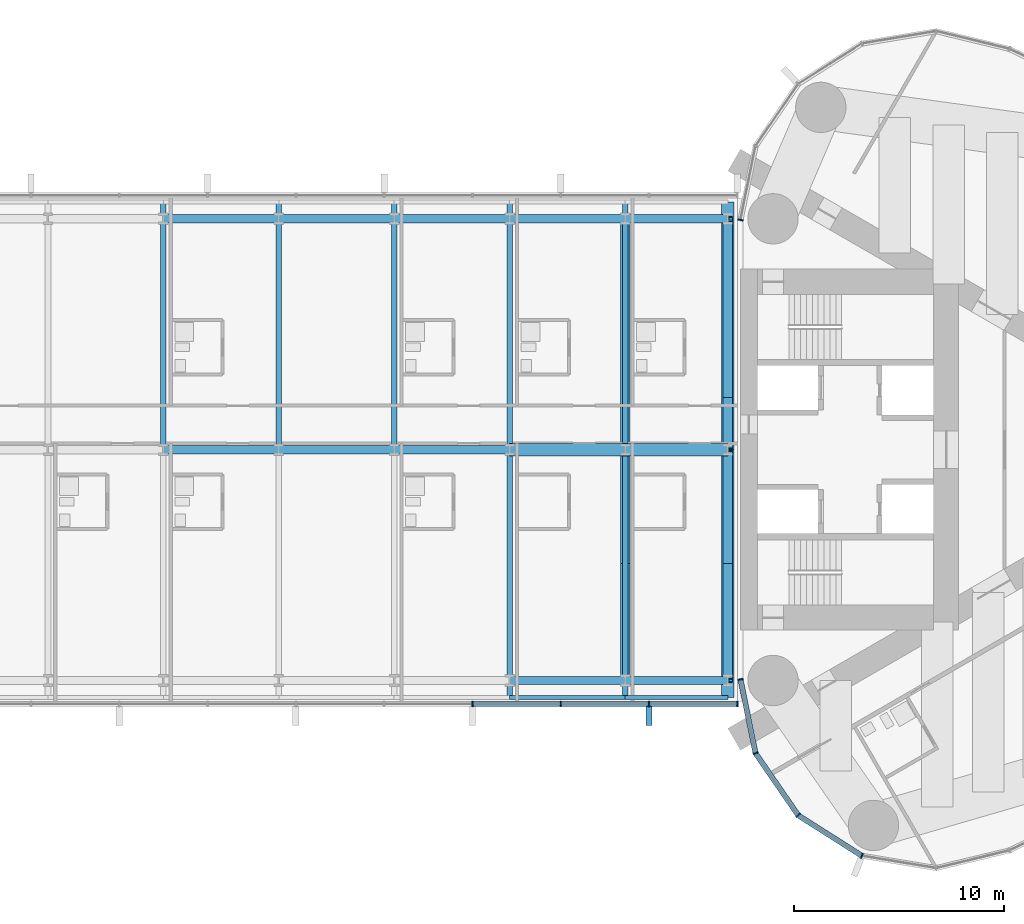
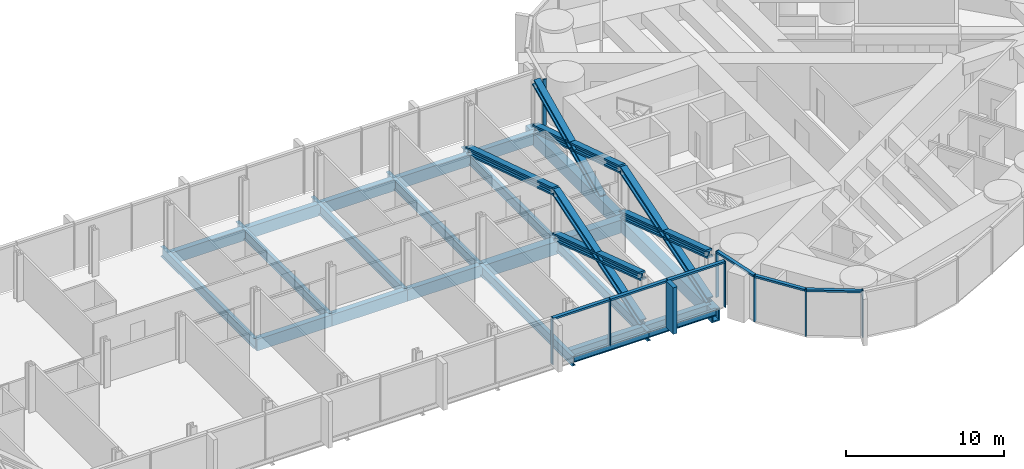
# One storey, part 8 of 24: 23 beams, 23 members, 2 elements without a shape of their own.
"""IFC4 building model written with IfcOpenShell, lengths in metres."""

from ifc_helpers import new_model, si_unit, direction, frame, origin, origin_2d, place, context, subcontext, project, spatial, rectangle, hollow_rectangle, i_section, extrude, material, material_profile, profile_set, type_object, element, aggregate, save


model = new_model("IFC4")

# Units and contexts
model_context = context("Model", 3, precision=1e-05, world=origin(), true_north=direction((0.0, 1.0)))
body_context = subcontext(model_context, "Body", "Model", "MODEL_VIEW")
ifc_project = project(units=[si_unit("LENGTHUNIT", "METRE"), si_unit("AREAUNIT", "SQUARE_METRE"), si_unit("VOLUMEUNIT", "CUBIC_METRE"), si_unit("PLANEANGLEUNIT", "RADIAN"), si_unit("MASSUNIT", "GRAM", prefix="KILO")], contexts=[model_context])

# Site, building, storey
site_placement = place(None, origin())
site = spatial("IfcSite", under=ifc_project, at=site_placement, CompositionType="ELEMENT")
building_placement = place(site_placement, origin())
building = spatial("IfcBuilding", under=site, at=building_placement, Name="Lancet Gate Hotel", CompositionType="ELEMENT")
storey_placement = place(building_placement, frame((0.0, 0.0, 236.89990234375)))
storey = spatial("IfcBuildingStorey", under=building, at=storey_placement, Name="L63", CompositionType="ELEMENT", Elevation=236.89990234375)

# Curtain wall, members
ifc_material_1 = material(Name="Aluminium curtain wall", Category="aluminium")
curtain_wall_type_1 = type_object("IfcCurtainWallType", Name="Tower unitised curtain wall", PredefinedType="USERDEFINED", material=ifc_material_1)
curtain_wall_1_placement = place(storey_placement, origin())
curtain_wall_1 = element("IfcCurtainWall", 1, at=curtain_wall_1_placement, inside=storey, type_object=curtain_wall_type_1, Name="T2 L63 curtain wall 1", ObjectType="UNITISED CURTAIN WALL", PredefinedType="USERDEFINED")
ifc_material_2 = material(Name="Aluminium mullion", Category="aluminium")
ifc_material_profile_1 = material_profile(ifc_material_2, rectangle(XDim=0.06494140625, YDim=0.25, at=origin_2d()), Name="MULLION 65x250")
ifc_profile_set_1 = profile_set([ifc_material_profile_1], Name="Aluminium mullion")
member_type_1 = type_object("IfcMemberType", Name="Aluminium mullion 65x250", PredefinedType="MULLION", material=ifc_profile_set_1)
member_1_placement = place(storey_placement, frame((27.5, -10.947998046875, 0.0), z_axis=(0.0, 0.0, 1.0), x_axis=(0.199533486841, -0.979891008036, 0.0)))
member_1 = element("IfcMember", 2, at=member_1_placement, type_object=member_type_1, Name="T2 L63 curtain wall 1 mullion 1", PredefinedType="MULLION", context=body_context, shape_type="SweptSolid", body=[
    extrude(rectangle(XDim=0.06494140625, YDim=0.25, at=origin_2d()), origin(), (0.0, 0.0, 1.0), 3.60009765625),
])
member_2_placement = place(storey_placement, frame((28.216552734375, -14.467529296875, 0.0), z_axis=(0.0, 0.0, 1.0), x_axis=(0.391042139098, -0.920372775265, 0.0)))
member_2 = element("IfcMember", 3, at=member_2_placement, type_object=member_type_1, Name="T2 L63 curtain wall 1 mullion 2", PredefinedType="MULLION", context=body_context, shape_type="SweptSolid", body=[
    extrude(rectangle(XDim=0.06494140625, YDim=0.25, at=origin_2d()), origin(), (0.0, 0.0, 1.0), 3.60009765625),
])
member_3_placement = place(storey_placement, frame((30.25244140625, -17.42626953125, 0.0), z_axis=(0.0, 0.0, 1.0), x_axis=(0.719809077627, -0.694172090886, 0.0)))
member_3 = element("IfcMember", 4, at=member_3_placement, type_object=member_type_1, Name="T2 L63 curtain wall 1 mullion 3", PredefinedType="MULLION", context=body_context, shape_type="SweptSolid", body=[
    extrude(rectangle(XDim=0.06494140625, YDim=0.25, at=origin_2d()), origin(), (0.0, 0.0, 1.0), 3.60009765625),
])
member_4_placement = place(storey_placement, frame((33.283203125, -19.353515625, 0.0), z_axis=(0.0, 0.0, 1.0), x_axis=(0.93394321776, -0.357421412343, 0.0)))
member_4 = element("IfcMember", 5, at=member_4_placement, type_object=member_type_1, Name="T2 L63 curtain wall 1 mullion 4", PredefinedType="MULLION", context=body_context, shape_type="SweptSolid", body=[
    extrude(rectangle(XDim=0.06494140625, YDim=0.25, at=origin_2d()), origin(), (0.0, 0.0, 1.0), 3.60009765625),
])
member_5_placement = place(storey_placement, frame((27.5, 10.947998046875, 0.0), z_axis=(0.0, 0.0, 1.0), x_axis=(-0.199533486841, -0.979891008036, 0.0)))
member_5 = element("IfcMember", 6, at=member_5_placement, type_object=member_type_1, Name="T2 L63 curtain wall 1 mullion 27", PredefinedType="MULLION", context=body_context, shape_type="SweptSolid", body=[
    extrude(rectangle(XDim=0.06494140625, YDim=0.25, at=origin_2d()), origin(), (0.0, 0.0, 1.0), 3.60009765625),
])

ifc_material_3 = material(Name="Aluminium curtain wall", Category="aluminium")
curtain_wall_type_2 = type_object("IfcCurtainWallType", Name="Bridge block curtain wall", PredefinedType="USERDEFINED", material=ifc_material_3)
curtain_wall_2_placement = place(storey_placement, origin())
curtain_wall_2 = element("IfcCurtainWall", 7, at=curtain_wall_2_placement, inside=storey, type_object=curtain_wall_type_2, Name="Bridge block L63 curtain wall S", ObjectType="UNITISED CURTAIN WALL", PredefinedType="USERDEFINED")
member_6_placement = place(storey_placement, frame((14.726806640625, -12.1201171875, 0.0), z_axis=(0.0, 0.0, 1.0), x_axis=(1.0, 0.0, 0.0)))
member_6 = element("IfcMember", 8, at=member_6_placement, type_object=member_type_1, Name="Bridge block L63 curtain wall S mullion 11", PredefinedType="MULLION", context=body_context, shape_type="SweptSolid", body=[
    extrude(rectangle(XDim=0.06494140625, YDim=0.25, at=origin_2d()), origin(), (0.0, 0.0, 1.0), 3.60009765625),
])
member_7_placement = place(storey_placement, frame((18.9345703125, -12.1201171875, 0.0), z_axis=(0.0, 0.0, 1.0), x_axis=(1.0, 0.0, 0.0)))
member_7 = element("IfcMember", 9, at=member_7_placement, type_object=member_type_1, Name="Bridge block L63 curtain wall S mullion 12", PredefinedType="MULLION", context=body_context, shape_type="SweptSolid", body=[
    extrude(rectangle(XDim=0.06494140625, YDim=0.25, at=origin_2d()), origin(), (0.0, 0.0, 1.0), 3.60009765625),
])
member_8_placement = place(storey_placement, frame((23.142333984375, -12.1201171875, 0.0), z_axis=(0.0, 0.0, 1.0), x_axis=(1.0, 0.0, 0.0)))
member_8 = element("IfcMember", 10, at=member_8_placement, type_object=member_type_1, Name="Bridge block L63 curtain wall S mullion 13", PredefinedType="MULLION", context=body_context, shape_type="SweptSolid", body=[
    extrude(rectangle(XDim=0.06494140625, YDim=0.25, at=origin_2d()), origin(), (0.0, 0.0, 1.0), 3.60009765625),
])
member_9_placement = place(storey_placement, frame((27.35009765625, -12.1201171875, 0.0), z_axis=(0.0, 0.0, 1.0), x_axis=(1.0, 0.0, 0.0)))
member_9 = element("IfcMember", 11, at=member_9_placement, type_object=member_type_1, Name="Bridge block L63 curtain wall S mullion 14", PredefinedType="MULLION", context=body_context, shape_type="SweptSolid", body=[
    extrude(rectangle(XDim=0.06494140625, YDim=0.25, at=origin_2d()), origin(), (0.0, 0.0, 1.0), 3.60009765625),
])

# Member
ifc_material_4 = material(Name="Aluminium transom", Category="aluminium")
ifc_material_profile_2 = material_profile(ifc_material_4, rectangle(XDim=0.25, YDim=0.14990234375, at=origin_2d()), Name="TRANSOM 250x150")
ifc_profile_set_2 = profile_set([ifc_material_profile_2], Name="Aluminium transom")
member_type_2 = type_object("IfcMemberType", Name="Aluminium transom 250x150", PredefinedType="USERDEFINED", material=ifc_profile_set_2)
member_10_placement = place(storey_placement, frame((27.506591796875, -10.97998046875, 3.525146484375), z_axis=(0.19952323725, -0.979893095086, 0.0), x_axis=(0.979893095086, 0.19952323725, 0.0)))
member_10 = element("IfcMember", 12, at=member_10_placement, type_object=member_type_2, Name="T2 L63 curtain wall 1 transom 1", ObjectType="TRANSOM", PredefinedType="USERDEFINED", context=body_context, shape_type="SweptSolid", body=[
    extrude(rectangle(XDim=0.25, YDim=0.14990234375, at=origin_2d()), origin(), (0.0, 0.0, 1.0), 3.5263671875),
])

member_11_placement = place(storey_placement, frame((28.235107421875, -14.494140625, 3.525146484375), z_axis=(0.566813768052, -0.82384595183, 0.0), x_axis=(0.82384595183, 0.566813768052, 0.0)))
member_11 = element("IfcMember", 13, at=member_11_placement, type_object=member_type_2, Name="T2 L63 curtain wall 1 transom 2", ObjectType="TRANSOM", PredefinedType="USERDEFINED", context=body_context, shape_type="SweptSolid", body=[
    extrude(rectangle(XDim=0.25, YDim=0.14990234375, at=origin_2d()), origin(), (0.0, 0.0, 1.0), 3.52685546875),
])

member_12_placement = place(storey_placement, frame((30.27978515625, -17.44384765625, 3.525146484375), z_axis=(0.84385811281, -0.536566384938, 0.0), x_axis=(0.536566384938, 0.84385811281, 0.0)))
member_12 = element("IfcMember", 14, at=member_12_placement, type_object=member_type_2, Name="T2 L63 curtain wall 1 transom 3", ObjectType="TRANSOM", PredefinedType="USERDEFINED", context=body_context, shape_type="SweptSolid", body=[
    extrude(rectangle(XDim=0.25, YDim=0.14990234375, at=origin_2d()), origin(), (0.0, 0.0, 1.0), 3.52685546875),
])

aggregate(curtain_wall_1, [member_1, member_2, member_3, member_4, member_5, member_10, member_11, member_12])

member_13_placement = place(storey_placement, frame((14.759521484375, -12.1201171875, 3.525146484375), z_axis=(1.0, 0.0, 0.0), x_axis=(0.0, 1.0, 0.0)))
member_13 = element("IfcMember", 15, at=member_13_placement, type_object=member_type_2, Name="Bridge block L63 curtain wall S transom 11", ObjectType="TRANSOM", PredefinedType="USERDEFINED", context=body_context, shape_type="SweptSolid", body=[
    extrude(rectangle(XDim=0.25, YDim=0.14990234375, at=origin_2d()), origin(), (0.0, 0.0, 1.0), 4.142578125),
])

member_14_placement = place(storey_placement, frame((18.967041015625, -12.1201171875, 3.525146484375), z_axis=(1.0, 0.0, 0.0), x_axis=(0.0, 1.0, 0.0)))
member_14 = element("IfcMember", 16, at=member_14_placement, type_object=member_type_2, Name="Bridge block L63 curtain wall S transom 12", ObjectType="TRANSOM", PredefinedType="USERDEFINED", context=body_context, shape_type="SweptSolid", body=[
    extrude(rectangle(XDim=0.25, YDim=0.14990234375, at=origin_2d()), origin(), (0.0, 0.0, 1.0), 4.142822265625),
])

member_15_placement = place(storey_placement, frame((23.1748046875, -12.1201171875, 3.525146484375), z_axis=(1.0, 0.0, 0.0), x_axis=(0.0, 1.0, 0.0)))
member_15 = element("IfcMember", 17, at=member_15_placement, type_object=member_type_2, Name="Bridge block L63 curtain wall S transom 13", ObjectType="TRANSOM", PredefinedType="USERDEFINED", context=body_context, shape_type="SweptSolid", body=[
    extrude(rectangle(XDim=0.25, YDim=0.14990234375, at=origin_2d()), origin(), (0.0, 0.0, 1.0), 4.142578125),
])

# Members
ifc_material_5 = material(Name="Steel S460", Category="steel")
ifc_material_profile_3 = material_profile(ifc_material_5, i_section(OverallWidth=0.4541015625, OverallDepth=0.569091796875, WebThickness=0.077880859375, FlangeThickness=0.125, FilletRadius=0.02001953125, at=origin_2d()), Name="HD 400x1086")
ifc_profile_set_3 = profile_set([ifc_material_profile_3], Name="Steel S460")
member_type_3 = type_object("IfcMemberType", Name="Block brace HD 400x1086", PredefinedType="BRACE", material=ifc_profile_set_3)
member_16_placement = place(storey_placement, frame((26.89990234375, -11.0, 0.0), z_axis=(0.0, 0.952925780013, 0.303203657277), x_axis=(-1.0, 0.0, 0.0)))
element("IfcMember", 18, at=member_16_placement, inside=storey, type_object=member_type_3, Name="Block brace EY11 L63", PredefinedType="BRACE", context=body_context, shape_type="SweptSolid", body=[
    extrude(i_section(OverallWidth=0.4541015625, OverallDepth=0.569091796875, WebThickness=0.077880859375, FlangeThickness=0.125, FilletRadius=0.02001953125, at=origin_2d()), origin(), (0.0, 0.0, 1.0), 11.54345703125),
])
member_17_placement = place(storey_placement, frame((26.89990234375, 0.0, 0.0), z_axis=(0.0, -0.950394634814, 0.311046681573), x_axis=(1.0, 0.0, 0.0)))
element("IfcMember", 19, at=member_17_placement, inside=storey, type_object=member_type_3, Name="Block brace EY12 L63", PredefinedType="BRACE", context=body_context, shape_type="SweptSolid", body=[
    extrude(i_section(OverallWidth=0.4541015625, OverallDepth=0.569091796875, WebThickness=0.077880859375, FlangeThickness=0.125, FilletRadius=0.02001953125, at=origin_2d()), origin(), (0.0, 0.0, 1.0), 11.57421875),
])
for number, where, z_axis, x_axis, name in (
    (20, (26.89990234375, 11.0, 0.0), (0.0, -0.952925780013, 0.303203657277), (1.0, 0.0, 0.0), "Block brace EY22 L63"),
    (21, (22.0, -11.0, 0.0), (0.0, 0.952925780013, 0.303203657277), (-1.0, 0.0, 0.0), "Block brace EI11 L63"),
):
    element("IfcMember", number, at=place(storey_placement, frame(where, z_axis=z_axis, x_axis=x_axis)), inside=storey, type_object=member_type_3, Name=name, PredefinedType="BRACE", context=body_context, shape_type="SweptSolid", body=[
        extrude(i_section(OverallWidth=0.4541015625, OverallDepth=0.569091796875, WebThickness=0.077880859375, FlangeThickness=0.125, FilletRadius=0.02001953125, at=origin_2d()), origin(), (0.0, 0.0, 1.0), 11.54345703125),
    ])
member_18_placement = place(storey_placement, frame((22.0, 0.0, 0.0), z_axis=(0.0, -0.950394634814, 0.311046681573), x_axis=(1.0, 0.0, 0.0)))
element("IfcMember", 22, at=member_18_placement, inside=storey, type_object=member_type_3, Name="Block brace EI12 L63", PredefinedType="BRACE", context=body_context, shape_type="SweptSolid", body=[
    extrude(i_section(OverallWidth=0.4541015625, OverallDepth=0.569091796875, WebThickness=0.077880859375, FlangeThickness=0.125, FilletRadius=0.02001953125, at=origin_2d()), origin(), (0.0, 0.0, 1.0), 11.57421875),
])
member_19_placement = place(storey_placement, frame((22.0, 11.0, 0.0), z_axis=(0.0, -0.952925780013, 0.303203657277), x_axis=(1.0, 0.0, 0.0)))
element("IfcMember", 23, at=member_19_placement, inside=storey, type_object=member_type_3, Name="Block brace EI22 L63", PredefinedType="BRACE", context=body_context, shape_type="SweptSolid", body=[
    extrude(i_section(OverallWidth=0.4541015625, OverallDepth=0.569091796875, WebThickness=0.077880859375, FlangeThickness=0.125, FilletRadius=0.02001953125, at=origin_2d()), origin(), (0.0, 0.0, 1.0), 11.54345703125),
])
member_20_placement = place(storey_placement, frame((26.89990234375, 2.60009765625, -0.2998046875), z_axis=(0.0, 0.907011125382, 0.421106659212), x_axis=(-1.0, 0.0, 0.0)))
element("IfcMember", 24, at=member_20_placement, inside=storey, type_object=member_type_3, Name="Block brace EY23 L63", PredefinedType="BRACE", context=body_context, shape_type="SweptSolid", body=[
    extrude(i_section(OverallWidth=0.4541015625, OverallDepth=0.569091796875, WebThickness=0.077880859375, FlangeThickness=0.125, FilletRadius=0.02001953125, at=origin_2d()), origin(), (0.0, 0.0, 1.0), 9.260986328125),
])

# Beams
ifc_material_6 = material(Name="Steel S355", Category="steel")
ifc_material_profile_4 = material_profile(ifc_material_6, i_section(OverallWidth=0.19140625, OverallDepth=0.4599609375, WebThickness=0.010009765625, FlangeThickness=0.01611328125, FilletRadius=0.01025390625, at=origin_2d()), Name="UKB 457x191x82")
ifc_profile_set_4 = profile_set([ifc_material_profile_4], Name="Steel S355")
beam_type_1 = type_object("IfcBeamType", Name="Block edge beam UKB 457x191x82", PredefinedType="SPANDREL", material=ifc_profile_set_4)
beam_1_placement = place(storey_placement, frame((16.5, -11.800048828125, -0.429931640625), z_axis=(1.0, 0.0, 0.0), x_axis=(0.0, 1.0, 0.0)))
element("IfcBeam", 25, at=beam_1_placement, inside=storey, type_object=beam_type_1, Name="Block edge beam S 8-9 L63", PredefinedType="SPANDREL", context=body_context, shape_type="SweptSolid", body=[
    extrude(i_section(OverallWidth=0.19140625, OverallDepth=0.4599609375, WebThickness=0.010009765625, FlangeThickness=0.01611328125, FilletRadius=0.01025390625, at=origin_2d()), origin(), (0.0, 0.0, 1.0), 5.5),
])
beam_2_placement = place(storey_placement, frame((22.0, -11.800048828125, -0.429931640625), z_axis=(1.0, 0.0, 0.0), x_axis=(0.0, 1.0, 0.0)))
element("IfcBeam", 26, at=beam_2_placement, inside=storey, type_object=beam_type_1, Name="Block edge beam S 9-10 L63", PredefinedType="SPANDREL", context=body_context, shape_type="SweptSolid", body=[
    extrude(i_section(OverallWidth=0.19140625, OverallDepth=0.4599609375, WebThickness=0.010009765625, FlangeThickness=0.01611328125, FilletRadius=0.01025390625, at=origin_2d()), origin(), (0.0, 0.0, 1.0), 4.89990234375),
])
ifc_material_7 = material(Name="Steel S460QL", Category="steel")
ifc_material_profile_5 = material_profile(ifc_material_7, hollow_rectangle(XDim=0.60009765625, YDim=1.0, WallThickness=0.10009765625, at=origin_2d()), Name="BOX 1000x600x100")
ifc_profile_set_5 = profile_set([ifc_material_profile_5], Name="Steel S460QL")
beam_type_2 = type_object("IfcBeamType", Name="Block end beam BOX 1000x600x100", PredefinedType="BEAM", material=ifc_profile_set_5)
for number, where, z_axis, x_axis, name in (
    (27, (26.89990234375, -11.800048828125, -0.699951171875), (0.0, 1.0, 0.0), (-1.0, 0.0, 0.0), "Block beam x10 S L63"),
    (28, (26.89990234375, 0.0, -0.699951171875), (0.0, 1.0, 0.0), (-1.0, 0.0, 0.0), "Block beam x10 N L63"),
):
    element("IfcBeam", number, at=place(storey_placement, frame(where, z_axis=z_axis, x_axis=x_axis)), inside=storey, type_object=beam_type_2, Name=name, PredefinedType="BEAM", context=body_context, shape_type="SweptSolid", body=[
        extrude(hollow_rectangle(XDim=0.60009765625, YDim=1.0, WallThickness=0.10009765625, at=origin_2d()), origin(), (0.0, 0.0, 1.0), 11.800048828125),
    ])
ifc_material_8 = material(Name="Steel S460QL", Category="steel")
ifc_material_profile_6 = material_profile(ifc_material_8, hollow_rectangle(XDim=0.60009765625, YDim=1.0, WallThickness=0.080078125, at=origin_2d()), Name="BOX 1000x600x80")
ifc_profile_set_6 = profile_set([ifc_material_profile_6], Name="Steel S460QL")
beam_type_3 = type_object("IfcBeamType", Name="Block primary beam BOX 1000x600x80", PredefinedType="BEAM", material=ifc_profile_set_6)
beam_3_placement = place(storey_placement, frame((16.5, 0.0, -0.699951171875), z_axis=(1.0, 0.0, 0.0), x_axis=(0.0, 1.0, 0.0)))
element("IfcBeam", 29, at=beam_3_placement, inside=storey, type_object=beam_type_3, Name="Block primary beam M 9 L63", PredefinedType="BEAM", context=body_context, shape_type="SweptSolid", body=[
    extrude(hollow_rectangle(XDim=0.60009765625, YDim=1.0, WallThickness=0.080078125, at=origin_2d()), origin(), (0.0, 0.0, 1.0), 5.5),
])
beam_4_placement = place(storey_placement, frame((22.0, 0.0, -0.699951171875), z_axis=(1.0, 0.0, 0.0), x_axis=(0.0, 1.0, 0.0)))
element("IfcBeam", 30, at=beam_4_placement, inside=storey, type_object=beam_type_3, Name="Block primary beam M 10 L63", PredefinedType="BEAM", context=body_context, shape_type="SweptSolid", body=[
    extrude(hollow_rectangle(XDim=0.60009765625, YDim=1.0, WallThickness=0.080078125, at=origin_2d()), origin(), (0.0, 0.0, 1.0), 4.89990234375),
])
ifc_material_9 = material(Name="Steel S355", Category="steel")
ifc_material_profile_7 = material_profile(ifc_material_9, hollow_rectangle(XDim=0.39990234375, YDim=0.89990234375, WallThickness=0.0400390625, at=origin_2d()), Name="BOX 900x400x40")
ifc_profile_set_7 = profile_set([ifc_material_profile_7], Name="Steel S355")
beam_type_4 = type_object("IfcBeamType", Name="Block primary beam BOX 900x400x40", PredefinedType="BEAM", material=ifc_profile_set_7)
beam_5_placement = place(storey_placement, frame((16.5, -11.0, -0.64990234375), z_axis=(1.0, 0.0, 0.0), x_axis=(0.0, 1.0, 0.0)))
element("IfcBeam", 31, at=beam_5_placement, inside=storey, type_object=beam_type_4, Name="Block primary beam S 9 L63", PredefinedType="BEAM", context=body_context, shape_type="SweptSolid", body=[
    extrude(hollow_rectangle(XDim=0.39990234375, YDim=0.89990234375, WallThickness=0.0400390625, at=origin_2d()), origin(), (0.0, 0.0, 1.0), 5.5),
])
beam_6_placement = place(storey_placement, frame((22.0, -11.0, -0.64990234375), z_axis=(1.0, 0.0, 0.0), x_axis=(0.0, 1.0, 0.0)))
element("IfcBeam", 32, at=beam_6_placement, inside=storey, type_object=beam_type_4, Name="Block primary beam S 10 L63", PredefinedType="BEAM", context=body_context, shape_type="SweptSolid", body=[
    extrude(hollow_rectangle(XDim=0.39990234375, YDim=0.89990234375, WallThickness=0.0400390625, at=origin_2d()), origin(), (0.0, 0.0, 1.0), 4.89990234375),
])
for number, where, z_axis, x_axis, name in (
    (33, (0.0, 0.0, -0.64990234375), (1.0, 0.0, 0.0), (0.0, 1.0, 0.0), "Block primary beam M 6 L63"),
    (34, (5.5, 0.0, -0.64990234375), (1.0, 0.0, 0.0), (0.0, 1.0, 0.0), "Block primary beam M 7 L63"),
    (35, (11.0, 0.0, -0.64990234375), (1.0, 0.0, 0.0), (0.0, 1.0, 0.0), "Block primary beam M 8 L63"),
    (36, (0.0, 11.0, -0.64990234375), (1.0, 0.0, 0.0), (0.0, 1.0, 0.0), "Block primary beam N 6 L63"),
    (37, (5.5, 11.0, -0.64990234375), (1.0, 0.0, 0.0), (0.0, 1.0, 0.0), "Block primary beam N 7 L63"),
    (38, (11.0, 11.0, -0.64990234375), (1.0, 0.0, 0.0), (0.0, 1.0, 0.0), "Block primary beam N 8 L63"),
    (39, (16.5, 11.0, -0.64990234375), (1.0, 0.0, 0.0), (0.0, 1.0, 0.0), "Block primary beam N 9 L63"),
):
    element("IfcBeam", number, at=place(storey_placement, frame(where, z_axis=z_axis, x_axis=x_axis)), inside=storey, type_object=beam_type_4, Name=name, PredefinedType="BEAM", context=body_context, shape_type="SweptSolid", body=[
        extrude(hollow_rectangle(XDim=0.39990234375, YDim=0.89990234375, WallThickness=0.0400390625, at=origin_2d()), origin(), (0.0, 0.0, 1.0), 5.5),
    ])
beam_7_placement = place(storey_placement, frame((22.0, 11.0, -0.64990234375), z_axis=(1.0, 0.0, 0.0), x_axis=(0.0, 1.0, 0.0)))
element("IfcBeam", 40, at=beam_7_placement, inside=storey, type_object=beam_type_4, Name="Block primary beam N 10 L63", PredefinedType="BEAM", context=body_context, shape_type="SweptSolid", body=[
    extrude(hollow_rectangle(XDim=0.39990234375, YDim=0.89990234375, WallThickness=0.0400390625, at=origin_2d()), origin(), (0.0, 0.0, 1.0), 4.89990234375),
])
ifc_material_10 = material(Name="Steel S355", Category="steel")
ifc_material_profile_8 = material_profile(ifc_material_10, i_section(OverallWidth=0.26806640625, OverallDepth=0.769775390625, WebThickness=0.015625, FlangeThickness=0.025390625, FilletRadius=0.0166015625, at=origin_2d()), Name="UKB 762x267x197")
ifc_profile_set_8 = profile_set([ifc_material_profile_8], Name="Steel S355")
beam_type_5 = type_object("IfcBeamType", Name="Block secondary beam UKB 762x267x197", PredefinedType="JOIST", material=ifc_profile_set_8)
for number, where, z_axis, x_axis, name in (
    (41, (0.0, 0.0, -0.584716796875), (0.0, 1.0, 0.0), (-1.0, 0.0, 0.0), "Block beam x5 N L63"),
    (42, (5.5, 0.0, -0.584716796875), (0.0, 1.0, 0.0), (-1.0, 0.0, 0.0), "Block beam x6 N L63"),
    (43, (11.0, 0.0, -0.584716796875), (0.0, 1.0, 0.0), (-1.0, 0.0, 0.0), "Block beam x7 N L63"),
    (44, (16.5, -11.800048828125, -0.584716796875), (0.0, 1.0, 0.0), (-1.0, 0.0, 0.0), "Block beam x8 S L63"),
    (45, (16.5, 0.0, -0.584716796875), (0.0, 1.0, 0.0), (-1.0, 0.0, 0.0), "Block beam x8 N L63"),
    (46, (22.0, -11.800048828125, -0.584716796875), (0.0, 1.0, 0.0), (-1.0, 0.0, 0.0), "Block beam x9 S L63"),
    (47, (22.0, 0.0, -0.584716796875), (0.0, 1.0, 0.0), (-1.0, 0.0, 0.0), "Block beam x9 N L63"),
):
    element("IfcBeam", number, at=place(storey_placement, frame(where, z_axis=z_axis, x_axis=x_axis)), inside=storey, type_object=beam_type_5, Name=name, PredefinedType="JOIST", context=body_context, shape_type="SweptSolid", body=[
        extrude(i_section(OverallWidth=0.26806640625, OverallDepth=0.769775390625, WebThickness=0.015625, FlangeThickness=0.025390625, FilletRadius=0.0166015625, at=origin_2d()), origin(), (0.0, 0.0, 1.0), 11.800048828125),
    ])

# Member
ifc_material_11 = material(Name="Precast concrete C50/60", Category="concrete")
ifc_material_profile_9 = material_profile(ifc_material_11, rectangle(XDim=0.300048828125, YDim=0.89990234375, at=origin_2d()), Name="FIN 300x900")
ifc_profile_set_9 = profile_set([ifc_material_profile_9], Name="Precast concrete C50/60")
member_type_4 = type_object("IfcMemberType", Name="Exposed concrete fin 300x900", PredefinedType="USERDEFINED", material=ifc_profile_set_9)
member_21_placement = place(storey_placement, frame((23.142333984375, -12.695068359375, 0.0), z_axis=(0.0, 0.0, 1.0), x_axis=(1.0, 0.0, 0.0)))
member_21 = element("IfcMember", 48, at=member_21_placement, type_object=member_type_4, Name="Bridge block L63 curtain wall S fin 13", ObjectType="FIN", PredefinedType="USERDEFINED", context=body_context, shape_type="SweptSolid", body=[
    extrude(rectangle(XDim=0.300048828125, YDim=0.89990234375, at=origin_2d()), origin(), (0.0, 0.0, 1.0), 3.60009765625),
])

aggregate(curtain_wall_2, [member_6, member_7, member_8, member_21, member_9, member_13, member_14, member_15])

save(model, "model.ifc")
